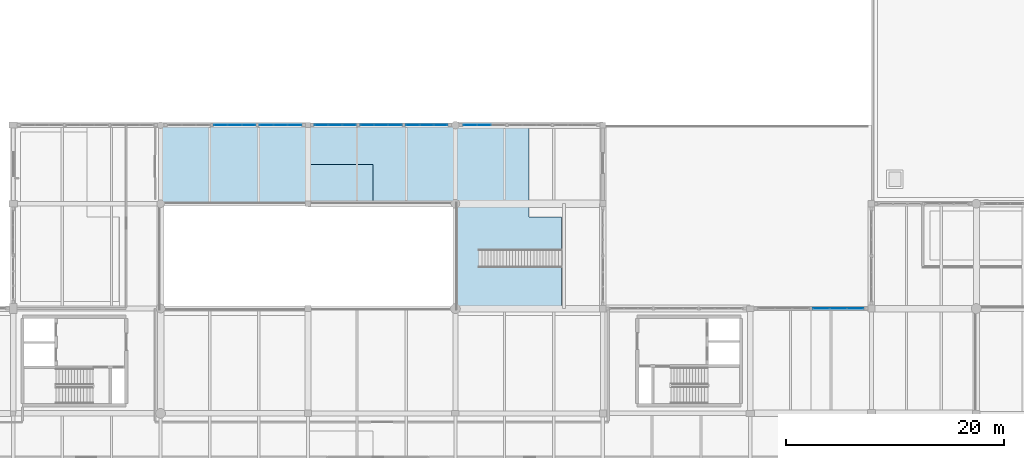
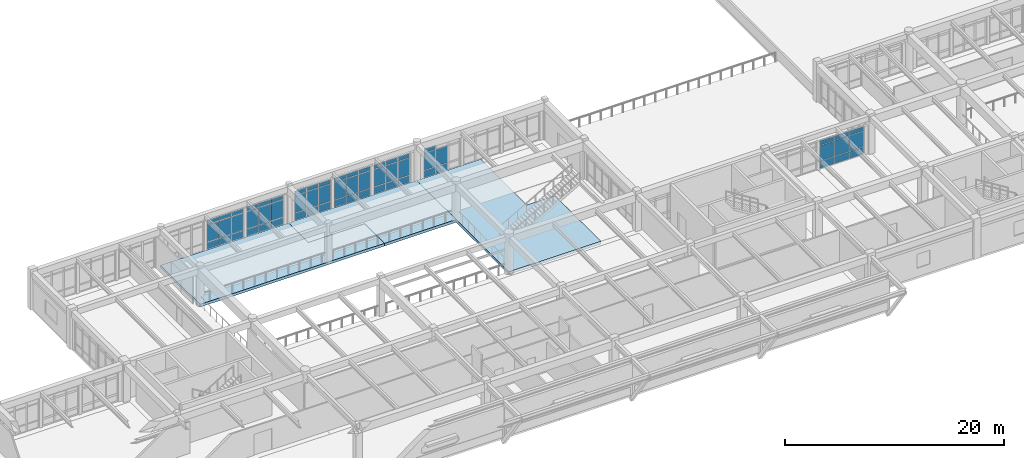
# One storey, part 72 of 109: 59 plates, 3 slabs, 7 elements without a shape of their own.
"""IFC4 building model written with IfcOpenShell, lengths in metres."""

from ifc_helpers import new_model, si_unit, direction, frame, origin, origin_2d, place, context, subcontext, project, spatial, polyline, rectangle, outline, extrude, material, layer, layer_set, type_object, element, aggregate, save


model = new_model("IFC4")

# Units and contexts
model_context = context("Model", 3, precision=1e-05, world=origin(), true_north=direction((0.0, 1.0)))
body_context = subcontext(model_context, "Body", "Model", "MODEL_VIEW")
ifc_project = project(units=[si_unit("LENGTHUNIT", "METRE"), si_unit("AREAUNIT", "SQUARE_METRE"), si_unit("VOLUMEUNIT", "CUBIC_METRE"), si_unit("PLANEANGLEUNIT", "RADIAN"), si_unit("MASSUNIT", "GRAM", prefix="KILO")], contexts=[model_context])

# Site, building, storey
site_placement = place(None, origin())
site = spatial("IfcSite", under=ifc_project, at=site_placement, CompositionType="ELEMENT")
building_placement = place(site_placement, origin())
building = spatial("IfcBuilding", under=site, at=building_placement, Name="Fikremerkos Civic Library", CompositionType="ELEMENT")
storey_placement = place(building_placement, frame((0.0, 0.0, 5.39990234375)))
storey = spatial("IfcBuildingStorey", under=building, at=storey_placement, Name="L01", CompositionType="ELEMENT", Elevation=5.39990234375)

# Curtain wall, plates
ifc_material_1 = material(Name="Anodized aluminium Frame", Category="aluminium")
ifc_layer_1 = layer(ifc_material_1, 0.159912109375, Name="Anodized aluminium Frame")
ifc_layer_set_1 = layer_set([ifc_layer_1], Name="Anodized aluminium Frame")
curtain_wall_type_1 = type_object("IfcCurtainWallType", Name="Unitised curtain wall CW-17 4600x3600", PredefinedType="USERDEFINED", material=ifc_layer_set_1)
curtain_wall_1_placement = place(storey_placement, origin())
curtain_wall_1 = element("IfcCurtainWall", 1, at=curtain_wall_1_placement, inside=storey, type_object=curtain_wall_type_1, Name="Unitised curtain wall CW-17 L01 #89", ObjectType="UNITISED CURTAIN WALL", PredefinedType="USERDEFINED")
ifc_material_2 = material(Name="Solar control double glazing", Category="glass")
ifc_layer_2 = layer(ifc_material_2, 0.028076171875, Name="Solar control double glazing")
ifc_layer_set_2 = layer_set([ifc_layer_2], Name="Solar control double glazing")
plate_type_1 = type_object("IfcPlateType", Name="Curtain glazing panel CWP-01 28", PredefinedType="CURTAIN_PANEL", material=ifc_layer_set_2)
plate_1_placement = place(storey_placement, frame((74.435302734375, 48.0, 0.070068359375), z_axis=(0.0, 0.0, 1.0), x_axis=(1.0, 0.0, 0.0)))
plate_1 = element("IfcPlate", 2, at=plate_1_placement, type_object=plate_type_1, Name="CW-17 panel 1.1", PredefinedType="CURTAIN_PANEL", context=body_context, shape_type="SweptSolid", body=[
    extrude(rectangle(XDim=1.194580078125, YDim=0.028076171875, at=origin_2d()), origin(), (0.0, 0.0, 1.0), 0.7451171875),
])
plate_2_placement = place(storey_placement, frame((74.435302734375, 48.0, 0.88525390625), z_axis=(0.0, 0.0, 1.0), x_axis=(1.0, 0.0, 0.0)))
plate_2 = element("IfcPlate", 3, at=plate_2_placement, type_object=plate_type_1, Name="CW-17 panel 1.2", PredefinedType="CURTAIN_PANEL", context=body_context, shape_type="SweptSolid", body=[
    extrude(rectangle(XDim=1.194580078125, YDim=0.028076171875, at=origin_2d()), origin(), (0.0, 0.0, 1.0), 1.889892578125),
])
plate_3_placement = place(storey_placement, frame((74.435302734375, 48.0, 2.84521484375), z_axis=(0.0, 0.0, 1.0), x_axis=(1.0, 0.0, 0.0)))
plate_3 = element("IfcPlate", 4, at=plate_3_placement, type_object=plate_type_1, Name="CW-17 panel 1.3", PredefinedType="CURTAIN_PANEL", context=body_context, shape_type="SweptSolid", body=[
    extrude(rectangle(XDim=1.194580078125, YDim=0.028076171875, at=origin_2d()), origin(), (0.0, 0.0, 1.0), 0.445068359375),
])
plate_4_placement = place(storey_placement, frame((75.711181640625, 48.0, 0.070068359375), z_axis=(0.0, 0.0, 1.0), x_axis=(1.0, 0.0, 0.0)))
plate_4 = element("IfcPlate", 5, at=plate_4_placement, type_object=plate_type_1, Name="CW-17 panel 2.1", PredefinedType="CURTAIN_PANEL", context=body_context, shape_type="SweptSolid", body=[
    extrude(rectangle(XDim=1.22705078125, YDim=0.028076171875, at=origin_2d()), origin(), (0.0, 0.0, 1.0), 0.7451171875),
])
plate_5_placement = place(storey_placement, frame((75.711181640625, 48.0, 0.88525390625), z_axis=(0.0, 0.0, 1.0), x_axis=(1.0, 0.0, 0.0)))
plate_5 = element("IfcPlate", 6, at=plate_5_placement, type_object=plate_type_1, Name="CW-17 panel 2.2", PredefinedType="CURTAIN_PANEL", context=body_context, shape_type="SweptSolid", body=[
    extrude(rectangle(XDim=1.22705078125, YDim=0.028076171875, at=origin_2d()), origin(), (0.0, 0.0, 1.0), 1.889892578125),
])
plate_6_placement = place(storey_placement, frame((75.711181640625, 48.0, 2.84521484375), z_axis=(0.0, 0.0, 1.0), x_axis=(1.0, 0.0, 0.0)))
plate_6 = element("IfcPlate", 7, at=plate_6_placement, type_object=plate_type_1, Name="CW-17 panel 2.3", PredefinedType="CURTAIN_PANEL", context=body_context, shape_type="SweptSolid", body=[
    extrude(rectangle(XDim=1.22705078125, YDim=0.028076171875, at=origin_2d()), origin(), (0.0, 0.0, 1.0), 0.445068359375),
])
plate_7_placement = place(storey_placement, frame((76.987060546875, 48.0, 0.070068359375), z_axis=(0.0, 0.0, 1.0), x_axis=(1.0, 0.0, 0.0)))
plate_7 = element("IfcPlate", 8, at=plate_7_placement, type_object=plate_type_1, Name="CW-17 panel 3.1", PredefinedType="CURTAIN_PANEL", context=body_context, shape_type="SweptSolid", body=[
    extrude(rectangle(XDim=1.194580078125, YDim=0.028076171875, at=origin_2d()), origin(), (0.0, 0.0, 1.0), 0.7451171875),
])
plate_8_placement = place(storey_placement, frame((76.987060546875, 48.0, 0.88525390625), z_axis=(0.0, 0.0, 1.0), x_axis=(1.0, 0.0, 0.0)))
plate_8 = element("IfcPlate", 9, at=plate_8_placement, type_object=plate_type_1, Name="CW-17 panel 3.2", PredefinedType="CURTAIN_PANEL", context=body_context, shape_type="SweptSolid", body=[
    extrude(rectangle(XDim=1.194580078125, YDim=0.028076171875, at=origin_2d()), origin(), (0.0, 0.0, 1.0), 1.889892578125),
])
plate_9_placement = place(storey_placement, frame((76.987060546875, 48.0, 2.84521484375), z_axis=(0.0, 0.0, 1.0), x_axis=(1.0, 0.0, 0.0)))
plate_9 = element("IfcPlate", 10, at=plate_9_placement, type_object=plate_type_1, Name="CW-17 panel 3.3", PredefinedType="CURTAIN_PANEL", context=body_context, shape_type="SweptSolid", body=[
    extrude(rectangle(XDim=1.194580078125, YDim=0.028076171875, at=origin_2d()), origin(), (0.0, 0.0, 1.0), 0.445068359375),
])
aggregate(curtain_wall_1, [plate_1, plate_2, plate_3, plate_4, plate_5, plate_6, plate_7, plate_8, plate_9])

ifc_layer_3 = layer(ifc_material_1, 0.159912109375, Name="Anodized aluminium Frame")
ifc_layer_set_3 = layer_set([ifc_layer_3], Name="Anodized aluminium Frame")
curtain_wall_type_2 = type_object("IfcCurtainWallType", Name="Unitised curtain wall CW-01 3600x3600", PredefinedType="USERDEFINED", material=ifc_layer_set_3)
curtain_wall_2_placement = place(storey_placement, origin())
curtain_wall_2 = element("IfcCurtainWall", 11, at=curtain_wall_2_placement, inside=storey, type_object=curtain_wall_type_2, Name="Unitised curtain wall CW-01 L01 #91", ObjectType="UNITISED CURTAIN WALL", PredefinedType="USERDEFINED")
plate_10_placement = place(storey_placement, frame((82.7880859375, 48.0, 0.070068359375), z_axis=(0.0, 0.0, 1.0), x_axis=(1.0, 0.0, 0.0)))
plate_10 = element("IfcPlate", 12, at=plate_10_placement, type_object=plate_type_1, Name="CW-01 panel 1.1", PredefinedType="CURTAIN_PANEL", context=body_context, shape_type="SweptSolid", body=[
    extrude(rectangle(XDim=1.194580078125, YDim=0.028076171875, at=origin_2d()), origin(), (0.0, 0.0, 1.0), 0.7451171875),
])
plate_11_placement = place(storey_placement, frame((82.7880859375, 48.0, 0.88525390625), z_axis=(0.0, 0.0, 1.0), x_axis=(1.0, 0.0, 0.0)))
plate_11 = element("IfcPlate", 13, at=plate_11_placement, type_object=plate_type_1, Name="CW-01 panel 1.2", PredefinedType="CURTAIN_PANEL", context=body_context, shape_type="SweptSolid", body=[
    extrude(rectangle(XDim=1.194580078125, YDim=0.028076171875, at=origin_2d()), origin(), (0.0, 0.0, 1.0), 1.889892578125),
])
plate_12_placement = place(storey_placement, frame((82.7880859375, 48.0, 2.84521484375), z_axis=(0.0, 0.0, 1.0), x_axis=(1.0, 0.0, 0.0)))
plate_12 = element("IfcPlate", 14, at=plate_12_placement, type_object=plate_type_1, Name="CW-01 panel 1.3", PredefinedType="CURTAIN_PANEL", context=body_context, shape_type="SweptSolid", body=[
    extrude(rectangle(XDim=1.194580078125, YDim=0.028076171875, at=origin_2d()), origin(), (0.0, 0.0, 1.0), 0.445068359375),
])
plate_13_placement = place(storey_placement, frame((84.063720703125, 48.0, 0.070068359375), z_axis=(0.0, 0.0, 1.0), x_axis=(1.0, 0.0, 0.0)))
plate_13 = element("IfcPlate", 15, at=plate_13_placement, type_object=plate_type_1, Name="CW-01 panel 2.1", PredefinedType="CURTAIN_PANEL", context=body_context, shape_type="SweptSolid", body=[
    extrude(rectangle(XDim=1.22705078125, YDim=0.028076171875, at=origin_2d()), origin(), (0.0, 0.0, 1.0), 0.7451171875),
])
plate_14_placement = place(storey_placement, frame((84.063720703125, 48.0, 0.88525390625), z_axis=(0.0, 0.0, 1.0), x_axis=(1.0, 0.0, 0.0)))
plate_14 = element("IfcPlate", 16, at=plate_14_placement, type_object=plate_type_1, Name="CW-01 panel 2.2", PredefinedType="CURTAIN_PANEL", context=body_context, shape_type="SweptSolid", body=[
    extrude(rectangle(XDim=1.22705078125, YDim=0.028076171875, at=origin_2d()), origin(), (0.0, 0.0, 1.0), 1.889892578125),
])
plate_15_placement = place(storey_placement, frame((84.063720703125, 48.0, 2.84521484375), z_axis=(0.0, 0.0, 1.0), x_axis=(1.0, 0.0, 0.0)))
plate_15 = element("IfcPlate", 17, at=plate_15_placement, type_object=plate_type_1, Name="CW-01 panel 2.3", PredefinedType="CURTAIN_PANEL", context=body_context, shape_type="SweptSolid", body=[
    extrude(rectangle(XDim=1.22705078125, YDim=0.028076171875, at=origin_2d()), origin(), (0.0, 0.0, 1.0), 0.445068359375),
])
plate_16_placement = place(storey_placement, frame((85.339599609375, 48.0, 0.070068359375), z_axis=(0.0, 0.0, 1.0), x_axis=(1.0, 0.0, 0.0)))
plate_16 = element("IfcPlate", 18, at=plate_16_placement, type_object=plate_type_1, Name="CW-01 panel 3.1", PredefinedType="CURTAIN_PANEL", context=body_context, shape_type="SweptSolid", body=[
    extrude(rectangle(XDim=1.194580078125, YDim=0.028076171875, at=origin_2d()), origin(), (0.0, 0.0, 1.0), 0.7451171875),
])
plate_17_placement = place(storey_placement, frame((85.339599609375, 48.0, 0.88525390625), z_axis=(0.0, 0.0, 1.0), x_axis=(1.0, 0.0, 0.0)))
plate_17 = element("IfcPlate", 19, at=plate_17_placement, type_object=plate_type_1, Name="CW-01 panel 3.2", PredefinedType="CURTAIN_PANEL", context=body_context, shape_type="SweptSolid", body=[
    extrude(rectangle(XDim=1.194580078125, YDim=0.028076171875, at=origin_2d()), origin(), (0.0, 0.0, 1.0), 1.889892578125),
])
plate_18_placement = place(storey_placement, frame((85.339599609375, 48.0, 2.84521484375), z_axis=(0.0, 0.0, 1.0), x_axis=(1.0, 0.0, 0.0)))
plate_18 = element("IfcPlate", 20, at=plate_18_placement, type_object=plate_type_1, Name="CW-01 panel 3.3", PredefinedType="CURTAIN_PANEL", context=body_context, shape_type="SweptSolid", body=[
    extrude(rectangle(XDim=1.194580078125, YDim=0.028076171875, at=origin_2d()), origin(), (0.0, 0.0, 1.0), 0.445068359375),
])
aggregate(curtain_wall_2, [plate_10, plate_11, plate_12, plate_13, plate_14, plate_15, plate_16, plate_17, plate_18])

ifc_layer_4 = layer(ifc_material_1, 0.159912109375, Name="Anodized aluminium Frame")
ifc_layer_set_4 = layer_set([ifc_layer_4], Name="Anodized aluminium Frame")
curtain_wall_type_3 = type_object("IfcCurtainWallType", Name="Unitised curtain wall CW-18 2700x3400", PredefinedType="USERDEFINED", material=ifc_layer_set_4)
curtain_wall_3_placement = place(storey_placement, origin())
curtain_wall_3 = element("IfcCurtainWall", 21, at=curtain_wall_3_placement, inside=storey, type_object=curtain_wall_type_3, Name="Unitised curtain wall CW-18 L01 #90", ObjectType="UNITISED CURTAIN WALL", PredefinedType="USERDEFINED")
ifc_layer_5 = layer(ifc_material_2, 0.035888671875, Name="Solar control double glazing")
ifc_layer_set_5 = layer_set([ifc_layer_5], Name="Solar control double glazing")
plate_type_2 = type_object("IfcPlateType", Name="Curtain glazing panel CWP-02 36", PredefinedType="CURTAIN_PANEL", material=ifc_layer_set_5)
plate_19_placement = place(storey_placement, frame((78.6103515625, 48.0, 0.070068359375), z_axis=(0.0, 0.0, 1.0), x_axis=(1.0, 0.0, 0.0)))
plate_19 = element("IfcPlate", 22, at=plate_19_placement, type_object=plate_type_2, Name="CW-18 panel 1.1", PredefinedType="CURTAIN_PANEL", context=body_context, shape_type="SweptSolid", body=[
    extrude(rectangle(XDim=1.2021484375, YDim=0.035888671875, at=origin_2d()), origin(), (0.0, 0.0, 1.0), 0.7451171875),
])
plate_20_placement = place(storey_placement, frame((78.6103515625, 48.0, 0.88525390625), z_axis=(0.0, 0.0, 1.0), x_axis=(1.0, 0.0, 0.0)))
plate_20 = element("IfcPlate", 23, at=plate_20_placement, type_object=plate_type_2, Name="CW-18 panel 1.2", PredefinedType="CURTAIN_PANEL", context=body_context, shape_type="SweptSolid", body=[
    extrude(rectangle(XDim=1.2021484375, YDim=0.035888671875, at=origin_2d()), origin(), (0.0, 0.0, 1.0), 1.889892578125),
])
plate_21_placement = place(storey_placement, frame((78.6103515625, 48.0, 2.84521484375), z_axis=(0.0, 0.0, 1.0), x_axis=(1.0, 0.0, 0.0)))
plate_21 = element("IfcPlate", 24, at=plate_21_placement, type_object=plate_type_2, Name="CW-18 panel 1.3", PredefinedType="CURTAIN_PANEL", context=body_context, shape_type="SweptSolid", body=[
    extrude(rectangle(XDim=1.2021484375, YDim=0.035888671875, at=origin_2d()), origin(), (0.0, 0.0, 1.0), 0.445068359375),
])
plate_22_placement = place(storey_placement, frame((79.887451171875, 48.0, 0.070068359375), z_axis=(0.0, 0.0, 1.0), x_axis=(1.0, 0.0, 0.0)))
plate_22 = element("IfcPlate", 25, at=plate_22_placement, type_object=plate_type_2, Name="CW-18 panel 2.1", PredefinedType="CURTAIN_PANEL", context=body_context, shape_type="SweptSolid", body=[
    extrude(rectangle(XDim=1.232177734375, YDim=0.035888671875, at=origin_2d()), origin(), (0.0, 0.0, 1.0), 0.7451171875),
])
plate_23_placement = place(storey_placement, frame((79.887451171875, 48.0, 0.88525390625), z_axis=(0.0, 0.0, 1.0), x_axis=(1.0, 0.0, 0.0)))
plate_23 = element("IfcPlate", 26, at=plate_23_placement, type_object=plate_type_2, Name="CW-18 panel 2.2", PredefinedType="CURTAIN_PANEL", context=body_context, shape_type="SweptSolid", body=[
    extrude(rectangle(XDim=1.232177734375, YDim=0.035888671875, at=origin_2d()), origin(), (0.0, 0.0, 1.0), 1.889892578125),
])
plate_24_placement = place(storey_placement, frame((79.887451171875, 48.0, 2.84521484375), z_axis=(0.0, 0.0, 1.0), x_axis=(1.0, 0.0, 0.0)))
plate_24 = element("IfcPlate", 27, at=plate_24_placement, type_object=plate_type_2, Name="CW-18 panel 2.3", PredefinedType="CURTAIN_PANEL", context=body_context, shape_type="SweptSolid", body=[
    extrude(rectangle(XDim=1.232177734375, YDim=0.035888671875, at=origin_2d()), origin(), (0.0, 0.0, 1.0), 0.445068359375),
])
plate_25_placement = place(storey_placement, frame((81.16455078125, 48.0, 0.070068359375), z_axis=(0.0, 0.0, 1.0), x_axis=(1.0, 0.0, 0.0)))
plate_25 = element("IfcPlate", 28, at=plate_25_placement, type_object=plate_type_2, Name="CW-18 panel 3.1", PredefinedType="CURTAIN_PANEL", context=body_context, shape_type="SweptSolid", body=[
    extrude(rectangle(XDim=1.2021484375, YDim=0.035888671875, at=origin_2d()), origin(), (0.0, 0.0, 1.0), 0.7451171875),
])
plate_26_placement = place(storey_placement, frame((81.16455078125, 48.0, 0.88525390625), z_axis=(0.0, 0.0, 1.0), x_axis=(1.0, 0.0, 0.0)))
plate_26 = element("IfcPlate", 29, at=plate_26_placement, type_object=plate_type_2, Name="CW-18 panel 3.2", PredefinedType="CURTAIN_PANEL", context=body_context, shape_type="SweptSolid", body=[
    extrude(rectangle(XDim=1.2021484375, YDim=0.035888671875, at=origin_2d()), origin(), (0.0, 0.0, 1.0), 1.889892578125),
])
plate_27_placement = place(storey_placement, frame((81.16455078125, 48.0, 2.84521484375), z_axis=(0.0, 0.0, 1.0), x_axis=(1.0, 0.0, 0.0)))
plate_27 = element("IfcPlate", 30, at=plate_27_placement, type_object=plate_type_2, Name="CW-18 panel 3.3", PredefinedType="CURTAIN_PANEL", context=body_context, shape_type="SweptSolid", body=[
    extrude(rectangle(XDim=1.2021484375, YDim=0.035888671875, at=origin_2d()), origin(), (0.0, 0.0, 1.0), 0.445068359375),
])
aggregate(curtain_wall_3, [plate_19, plate_20, plate_21, plate_22, plate_23, plate_24, plate_25, plate_26, plate_27])

ifc_layer_6 = layer(ifc_material_1, 0.159912109375, Name="Anodized aluminium Frame")
ifc_layer_set_6 = layer_set([ifc_layer_6], Name="Anodized aluminium Frame")
curtain_wall_type_4 = type_object("IfcCurtainWallType", Name="Unitised curtain wall CW-02 3900x3600", PredefinedType="USERDEFINED", material=ifc_layer_set_6)
curtain_wall_4_placement = place(storey_placement, origin())
curtain_wall_4 = element("IfcCurtainWall", 31, at=curtain_wall_4_placement, inside=storey, type_object=curtain_wall_type_4, Name="Unitised curtain wall CW-02 L01 #92", ObjectType="UNITISED CURTAIN WALL", PredefinedType="USERDEFINED")
plate_28_placement = place(storey_placement, frame((88.0576171875, 48.0, 0.070068359375), z_axis=(0.0, 0.0, 1.0), x_axis=(1.0, 0.0, 0.0)))
plate_28 = element("IfcPlate", 32, at=plate_28_placement, type_object=plate_type_2, Name="CW-02 panel 1.1", PredefinedType="CURTAIN_PANEL", context=body_context, shape_type="SweptSolid", body=[
    extrude(rectangle(XDim=1.19921875, YDim=0.035888671875, at=origin_2d()), origin(), (0.0, 0.0, 1.0), 0.7451171875),
])
plate_29_placement = place(storey_placement, frame((88.0576171875, 48.0, 0.88525390625), z_axis=(0.0, 0.0, 1.0), x_axis=(1.0, 0.0, 0.0)))
plate_29 = element("IfcPlate", 33, at=plate_29_placement, type_object=plate_type_2, Name="CW-02 panel 1.2", PredefinedType="CURTAIN_PANEL", context=body_context, shape_type="SweptSolid", body=[
    extrude(rectangle(XDim=1.19921875, YDim=0.035888671875, at=origin_2d()), origin(), (0.0, 0.0, 1.0), 1.840087890625),
])
plate_30_placement = place(storey_placement, frame((88.0576171875, 48.0, 2.794921875), z_axis=(0.0, 0.0, 1.0), x_axis=(1.0, 0.0, 0.0)))
plate_30 = element("IfcPlate", 34, at=plate_30_placement, type_object=plate_type_2, Name="CW-02 panel 1.3", PredefinedType="CURTAIN_PANEL", context=body_context, shape_type="SweptSolid", body=[
    extrude(rectangle(XDim=1.19921875, YDim=0.035888671875, at=origin_2d()), origin(), (0.0, 0.0, 1.0), 0.445068359375),
])
plate_31_placement = place(storey_placement, frame((89.33203125, 48.0, 0.070068359375), z_axis=(0.0, 0.0, 1.0), x_axis=(1.0, 0.0, 0.0)))
plate_31 = element("IfcPlate", 35, at=plate_31_placement, type_object=plate_type_2, Name="CW-02 panel 2.1", PredefinedType="CURTAIN_PANEL", context=body_context, shape_type="SweptSolid", body=[
    extrude(rectangle(XDim=1.229248046875, YDim=0.035888671875, at=origin_2d()), origin(), (0.0, 0.0, 1.0), 0.7451171875),
])
plate_32_placement = place(storey_placement, frame((89.33203125, 48.0, 0.88525390625), z_axis=(0.0, 0.0, 1.0), x_axis=(1.0, 0.0, 0.0)))
plate_32 = element("IfcPlate", 36, at=plate_32_placement, type_object=plate_type_2, Name="CW-02 panel 2.2", PredefinedType="CURTAIN_PANEL", context=body_context, shape_type="SweptSolid", body=[
    extrude(rectangle(XDim=1.229248046875, YDim=0.035888671875, at=origin_2d()), origin(), (0.0, 0.0, 1.0), 1.840087890625),
])
aggregate(curtain_wall_4, [plate_28, plate_29, plate_30, plate_31, plate_32])

ifc_layer_7 = layer(ifc_material_1, 0.159912109375, Name="Anodized aluminium Frame")
ifc_layer_set_7 = layer_set([ifc_layer_7], Name="Anodized aluminium Frame")
curtain_wall_type_5 = type_object("IfcCurtainWallType", Name="Unitised curtain wall CW-15 2900x3600", PredefinedType="USERDEFINED", material=ifc_layer_set_7)
curtain_wall_5_placement = place(storey_placement, origin())
curtain_wall_5 = element("IfcCurtainWall", 37, at=curtain_wall_5_placement, inside=storey, type_object=curtain_wall_type_5, Name="Unitised curtain wall CW-15 L01 #87", ObjectType="UNITISED CURTAIN WALL", PredefinedType="USERDEFINED")
ifc_material_3 = material(Name="Insulated aluminium spandrel", Category="aluminium")
ifc_layer_8 = layer(ifc_material_3, 0.044921875, Name="Insulated aluminium spandrel")
ifc_layer_set_8 = layer_set([ifc_layer_8], Name="Insulated aluminium spandrel")
plate_type_3 = type_object("IfcPlateType", Name="Curtain spandrel panel CSP-01 45", PredefinedType="CURTAIN_PANEL", material=ifc_layer_set_8)
plate_33_placement = place(storey_placement, frame((65.204833984375, 48.0, 0.070068359375), z_axis=(0.0, 0.0, 1.0), x_axis=(1.0, 0.0, 0.0)))
plate_33 = element("IfcPlate", 38, at=plate_33_placement, type_object=plate_type_3, Name="CW-15 panel 1.1", PredefinedType="CURTAIN_PANEL", context=body_context, shape_type="SweptSolid", body=[
    extrude(rectangle(XDim=1.207763671875, YDim=0.044921875, at=origin_2d()), origin(), (0.0, 0.0, 1.0), 0.7451171875),
])
plate_34_placement = place(storey_placement, frame((65.204833984375, 48.0, 0.88525390625), z_axis=(0.0, 0.0, 1.0), x_axis=(1.0, 0.0, 0.0)))
plate_34 = element("IfcPlate", 39, at=plate_34_placement, type_object=plate_type_3, Name="CW-15 panel 1.2", PredefinedType="CURTAIN_PANEL", context=body_context, shape_type="SweptSolid", body=[
    extrude(rectangle(XDim=1.207763671875, YDim=0.044921875, at=origin_2d()), origin(), (0.0, 0.0, 1.0), 1.889892578125),
])
plate_35_placement = place(storey_placement, frame((65.204833984375, 48.0, 2.84521484375), z_axis=(0.0, 0.0, 1.0), x_axis=(1.0, 0.0, 0.0)))
plate_35 = element("IfcPlate", 40, at=plate_35_placement, type_object=plate_type_3, Name="CW-15 panel 1.3", PredefinedType="CURTAIN_PANEL", context=body_context, shape_type="SweptSolid", body=[
    extrude(rectangle(XDim=1.207763671875, YDim=0.044921875, at=origin_2d()), origin(), (0.0, 0.0, 1.0), 0.445068359375),
])
plate_36_placement = place(storey_placement, frame((66.487548828125, 48.0, 0.070068359375), z_axis=(0.0, 0.0, 1.0), x_axis=(1.0, 0.0, 0.0)))
plate_36 = element("IfcPlate", 41, at=plate_36_placement, type_object=plate_type_3, Name="CW-15 panel 2.1", PredefinedType="CURTAIN_PANEL", context=body_context, shape_type="SweptSolid", body=[
    extrude(rectangle(XDim=1.237548828125, YDim=0.044921875, at=origin_2d()), origin(), (0.0, 0.0, 1.0), 0.7451171875),
])
plate_37_placement = place(storey_placement, frame((66.487548828125, 48.0, 0.88525390625), z_axis=(0.0, 0.0, 1.0), x_axis=(1.0, 0.0, 0.0)))
plate_37 = element("IfcPlate", 42, at=plate_37_placement, type_object=plate_type_3, Name="CW-15 panel 2.2", PredefinedType="CURTAIN_PANEL", context=body_context, shape_type="SweptSolid", body=[
    extrude(rectangle(XDim=1.237548828125, YDim=0.044921875, at=origin_2d()), origin(), (0.0, 0.0, 1.0), 1.889892578125),
])
plate_38_placement = place(storey_placement, frame((66.487548828125, 48.0, 2.84521484375), z_axis=(0.0, 0.0, 1.0), x_axis=(1.0, 0.0, 0.0)))
plate_38 = element("IfcPlate", 43, at=plate_38_placement, type_object=plate_type_3, Name="CW-15 panel 2.3", PredefinedType="CURTAIN_PANEL", context=body_context, shape_type="SweptSolid", body=[
    extrude(rectangle(XDim=1.237548828125, YDim=0.044921875, at=origin_2d()), origin(), (0.0, 0.0, 1.0), 0.445068359375),
])
plate_39_placement = place(storey_placement, frame((67.770263671875, 48.0, 0.070068359375), z_axis=(0.0, 0.0, 1.0), x_axis=(1.0, 0.0, 0.0)))
plate_39 = element("IfcPlate", 44, at=plate_39_placement, type_object=plate_type_3, Name="CW-15 panel 3.1", PredefinedType="CURTAIN_PANEL", context=body_context, shape_type="SweptSolid", body=[
    extrude(rectangle(XDim=1.207763671875, YDim=0.044921875, at=origin_2d()), origin(), (0.0, 0.0, 1.0), 0.7451171875),
])
plate_40_placement = place(storey_placement, frame((67.770263671875, 48.0, 0.88525390625), z_axis=(0.0, 0.0, 1.0), x_axis=(1.0, 0.0, 0.0)))
plate_40 = element("IfcPlate", 45, at=plate_40_placement, type_object=plate_type_3, Name="CW-15 panel 3.2", PredefinedType="CURTAIN_PANEL", context=body_context, shape_type="SweptSolid", body=[
    extrude(rectangle(XDim=1.207763671875, YDim=0.044921875, at=origin_2d()), origin(), (0.0, 0.0, 1.0), 1.889892578125),
])
plate_41_placement = place(storey_placement, frame((67.770263671875, 48.0, 2.84521484375), z_axis=(0.0, 0.0, 1.0), x_axis=(1.0, 0.0, 0.0)))
plate_41 = element("IfcPlate", 46, at=plate_41_placement, type_object=plate_type_3, Name="CW-15 panel 3.3", PredefinedType="CURTAIN_PANEL", context=body_context, shape_type="SweptSolid", body=[
    extrude(rectangle(XDim=1.207763671875, YDim=0.044921875, at=origin_2d()), origin(), (0.0, 0.0, 1.0), 0.445068359375),
])
aggregate(curtain_wall_5, [plate_33, plate_34, plate_35, plate_36, plate_37, plate_38, plate_39, plate_40, plate_41])

ifc_layer_9 = layer(ifc_material_1, 0.159912109375, Name="Anodized aluminium Frame")
ifc_layer_set_9 = layer_set([ifc_layer_9], Name="Anodized aluminium Frame")
curtain_wall_type_6 = type_object("IfcCurtainWallType", Name="Unitised curtain wall CW-11 3200x3400", PredefinedType="USERDEFINED", material=ifc_layer_set_9)
curtain_wall_6_placement = place(storey_placement, origin())
curtain_wall_6 = element("IfcCurtainWall", 47, at=curtain_wall_6_placement, inside=storey, type_object=curtain_wall_type_6, Name="Unitised curtain wall CW-11 L01 #101", ObjectType="UNITISED CURTAIN WALL", PredefinedType="USERDEFINED")
plate_42_placement = place(storey_placement, frame((120.213134765625, 31.199951171875, 0.065185546875), z_axis=(0.0, 0.0, 1.0), x_axis=(1.0, 0.0, 0.0)))
plate_42 = element("IfcPlate", 48, at=plate_42_placement, type_object=plate_type_3, Name="CW-11 panel 1.1", PredefinedType="CURTAIN_PANEL", context=body_context, shape_type="SweptSolid", body=[
    extrude(rectangle(XDim=1.4814453125, YDim=0.044921875, at=origin_2d()), origin(), (0.0, 0.0, 1.0), 0.75244140625),
])
plate_43_placement = place(storey_placement, frame((120.213134765625, 31.199951171875, 0.882568359375), z_axis=(0.0, 0.0, 1.0), x_axis=(1.0, 0.0, 0.0)))
plate_43 = element("IfcPlate", 49, at=plate_43_placement, type_object=plate_type_3, Name="CW-11 panel 1.2", PredefinedType="CURTAIN_PANEL", context=body_context, shape_type="SweptSolid", body=[
    extrude(rectangle(XDim=1.4814453125, YDim=0.044921875, at=origin_2d()), origin(), (0.0, 0.0, 1.0), 1.705078125),
])
plate_44_placement = place(storey_placement, frame((120.213134765625, 31.199951171875, 2.65283203125), z_axis=(0.0, 0.0, 1.0), x_axis=(1.0, 0.0, 0.0)))
plate_44 = element("IfcPlate", 50, at=plate_44_placement, type_object=plate_type_3, Name="CW-11 panel 1.3", PredefinedType="CURTAIN_PANEL", context=body_context, shape_type="SweptSolid", body=[
    extrude(rectangle(XDim=1.4814453125, YDim=0.044921875, at=origin_2d()), origin(), (0.0, 0.0, 1.0), 0.452392578125),
])
plate_45_placement = place(storey_placement, frame((121.769775390625, 31.199951171875, 0.065185546875), z_axis=(0.0, 0.0, 1.0), x_axis=(1.0, 0.0, 0.0)))
plate_45 = element("IfcPlate", 51, at=plate_45_placement, type_object=plate_type_3, Name="CW-11 panel 2.1", PredefinedType="CURTAIN_PANEL", context=body_context, shape_type="SweptSolid", body=[
    extrude(rectangle(XDim=1.511474609375, YDim=0.044921875, at=origin_2d()), origin(), (0.0, 0.0, 1.0), 0.75244140625),
])
plate_46_placement = place(storey_placement, frame((121.769775390625, 31.199951171875, 0.882568359375), z_axis=(0.0, 0.0, 1.0), x_axis=(1.0, 0.0, 0.0)))
plate_46 = element("IfcPlate", 52, at=plate_46_placement, type_object=plate_type_3, Name="CW-11 panel 2.2", PredefinedType="CURTAIN_PANEL", context=body_context, shape_type="SweptSolid", body=[
    extrude(rectangle(XDim=1.511474609375, YDim=0.044921875, at=origin_2d()), origin(), (0.0, 0.0, 1.0), 1.705078125),
])
plate_47_placement = place(storey_placement, frame((121.769775390625, 31.199951171875, 2.65283203125), z_axis=(0.0, 0.0, 1.0), x_axis=(1.0, 0.0, 0.0)))
plate_47 = element("IfcPlate", 53, at=plate_47_placement, type_object=plate_type_3, Name="CW-11 panel 2.3", PredefinedType="CURTAIN_PANEL", context=body_context, shape_type="SweptSolid", body=[
    extrude(rectangle(XDim=1.511474609375, YDim=0.044921875, at=origin_2d()), origin(), (0.0, 0.0, 1.0), 0.452392578125),
])
plate_48_placement = place(storey_placement, frame((123.326171875, 31.199951171875, 0.065185546875), z_axis=(0.0, 0.0, 1.0), x_axis=(1.0, 0.0, 0.0)))
plate_48 = element("IfcPlate", 54, at=plate_48_placement, type_object=plate_type_3, Name="CW-11 panel 3.1", PredefinedType="CURTAIN_PANEL", context=body_context, shape_type="SweptSolid", body=[
    extrude(rectangle(XDim=1.4814453125, YDim=0.044921875, at=origin_2d()), origin(), (0.0, 0.0, 1.0), 0.75244140625),
])
plate_49_placement = place(storey_placement, frame((123.326171875, 31.199951171875, 0.882568359375), z_axis=(0.0, 0.0, 1.0), x_axis=(1.0, 0.0, 0.0)))
plate_49 = element("IfcPlate", 55, at=plate_49_placement, type_object=plate_type_3, Name="CW-11 panel 3.2", PredefinedType="CURTAIN_PANEL", context=body_context, shape_type="SweptSolid", body=[
    extrude(rectangle(XDim=1.4814453125, YDim=0.044921875, at=origin_2d()), origin(), (0.0, 0.0, 1.0), 1.705078125),
])
plate_50_placement = place(storey_placement, frame((123.326171875, 31.199951171875, 2.65283203125), z_axis=(0.0, 0.0, 1.0), x_axis=(1.0, 0.0, 0.0)))
plate_50 = element("IfcPlate", 56, at=plate_50_placement, type_object=plate_type_3, Name="CW-11 panel 3.3", PredefinedType="CURTAIN_PANEL", context=body_context, shape_type="SweptSolid", body=[
    extrude(rectangle(XDim=1.4814453125, YDim=0.044921875, at=origin_2d()), origin(), (0.0, 0.0, 1.0), 0.452392578125),
])
aggregate(curtain_wall_6, [plate_42, plate_43, plate_44, plate_45, plate_46, plate_47, plate_48, plate_49, plate_50])

ifc_layer_10 = layer(ifc_material_1, 0.159912109375, Name="Anodized aluminium Frame")
ifc_layer_set_10 = layer_set([ifc_layer_10], Name="Anodized aluminium Frame")
curtain_wall_type_7 = type_object("IfcCurtainWallType", Name="Unitised curtain wall CW-16 3100x4100", PredefinedType="USERDEFINED", material=ifc_layer_set_10)
curtain_wall_7_placement = place(storey_placement, origin())
curtain_wall_7 = element("IfcCurtainWall", 57, at=curtain_wall_7_placement, inside=storey, type_object=curtain_wall_type_7, Name="Unitised curtain wall CW-16 L01 #88", ObjectType="UNITISED CURTAIN WALL", PredefinedType="USERDEFINED")
ifc_layer_11 = layer(ifc_material_3, 0.054931640625, Name="Insulated aluminium spandrel")
ifc_layer_set_11 = layer_set([ifc_layer_11], Name="Insulated aluminium spandrel")
plate_type_4 = type_object("IfcPlateType", Name="Curtain spandrel panel CSP-02 55", PredefinedType="CURTAIN_PANEL", material=ifc_layer_set_11)
plate_51_placement = place(storey_placement, frame((69.39794921875, 48.0, 0.070068359375), z_axis=(0.0, 0.0, 1.0), x_axis=(1.0, 0.0, 0.0)))
plate_51 = element("IfcPlate", 58, at=plate_51_placement, type_object=plate_type_4, Name="CW-16 panel 1.1", PredefinedType="CURTAIN_PANEL", context=body_context, shape_type="SweptSolid", body=[
    extrude(rectangle(XDim=1.207763671875, YDim=0.054931640625, at=origin_2d()), origin(), (0.0, 0.0, 1.0), 0.7451171875),
])
plate_52_placement = place(storey_placement, frame((69.39794921875, 48.0, 0.88525390625), z_axis=(0.0, 0.0, 1.0), x_axis=(1.0, 0.0, 0.0)))
plate_52 = element("IfcPlate", 59, at=plate_52_placement, type_object=plate_type_4, Name="CW-16 panel 1.2", PredefinedType="CURTAIN_PANEL", context=body_context, shape_type="SweptSolid", body=[
    extrude(rectangle(XDim=1.207763671875, YDim=0.054931640625, at=origin_2d()), origin(), (0.0, 0.0, 1.0), 1.889892578125),
])
plate_53_placement = place(storey_placement, frame((69.39794921875, 48.0, 2.84521484375), z_axis=(0.0, 0.0, 1.0), x_axis=(1.0, 0.0, 0.0)))
plate_53 = element("IfcPlate", 60, at=plate_53_placement, type_object=plate_type_4, Name="CW-16 panel 1.3", PredefinedType="CURTAIN_PANEL", context=body_context, shape_type="SweptSolid", body=[
    extrude(rectangle(XDim=1.207763671875, YDim=0.054931640625, at=origin_2d()), origin(), (0.0, 0.0, 1.0), 0.445068359375),
])
plate_54_placement = place(storey_placement, frame((70.680419921875, 48.0, 0.070068359375), z_axis=(0.0, 0.0, 1.0), x_axis=(1.0, 0.0, 0.0)))
plate_54 = element("IfcPlate", 61, at=plate_54_placement, type_object=plate_type_4, Name="CW-16 panel 2.1", PredefinedType="CURTAIN_PANEL", context=body_context, shape_type="SweptSolid", body=[
    extrude(rectangle(XDim=1.237548828125, YDim=0.054931640625, at=origin_2d()), origin(), (0.0, 0.0, 1.0), 0.7451171875),
])
plate_55_placement = place(storey_placement, frame((70.680419921875, 48.0, 0.88525390625), z_axis=(0.0, 0.0, 1.0), x_axis=(1.0, 0.0, 0.0)))
plate_55 = element("IfcPlate", 62, at=plate_55_placement, type_object=plate_type_4, Name="CW-16 panel 2.2", PredefinedType="CURTAIN_PANEL", context=body_context, shape_type="SweptSolid", body=[
    extrude(rectangle(XDim=1.237548828125, YDim=0.054931640625, at=origin_2d()), origin(), (0.0, 0.0, 1.0), 1.889892578125),
])
plate_56_placement = place(storey_placement, frame((70.680419921875, 48.0, 2.84521484375), z_axis=(0.0, 0.0, 1.0), x_axis=(1.0, 0.0, 0.0)))
plate_56 = element("IfcPlate", 63, at=plate_56_placement, type_object=plate_type_4, Name="CW-16 panel 2.3", PredefinedType="CURTAIN_PANEL", context=body_context, shape_type="SweptSolid", body=[
    extrude(rectangle(XDim=1.237548828125, YDim=0.054931640625, at=origin_2d()), origin(), (0.0, 0.0, 1.0), 0.445068359375),
])
plate_57_placement = place(storey_placement, frame((71.963134765625, 48.0, 0.070068359375), z_axis=(0.0, 0.0, 1.0), x_axis=(1.0, 0.0, 0.0)))
plate_57 = element("IfcPlate", 64, at=plate_57_placement, type_object=plate_type_4, Name="CW-16 panel 3.1", PredefinedType="CURTAIN_PANEL", context=body_context, shape_type="SweptSolid", body=[
    extrude(rectangle(XDim=1.207763671875, YDim=0.054931640625, at=origin_2d()), origin(), (0.0, 0.0, 1.0), 0.7451171875),
])
plate_58_placement = place(storey_placement, frame((71.963134765625, 48.0, 0.88525390625), z_axis=(0.0, 0.0, 1.0), x_axis=(1.0, 0.0, 0.0)))
plate_58 = element("IfcPlate", 65, at=plate_58_placement, type_object=plate_type_4, Name="CW-16 panel 3.2", PredefinedType="CURTAIN_PANEL", context=body_context, shape_type="SweptSolid", body=[
    extrude(rectangle(XDim=1.207763671875, YDim=0.054931640625, at=origin_2d()), origin(), (0.0, 0.0, 1.0), 1.889892578125),
])
plate_59_placement = place(storey_placement, frame((71.963134765625, 48.0, 2.84521484375), z_axis=(0.0, 0.0, 1.0), x_axis=(1.0, 0.0, 0.0)))
plate_59 = element("IfcPlate", 66, at=plate_59_placement, type_object=plate_type_4, Name="CW-16 panel 3.3", PredefinedType="CURTAIN_PANEL", context=body_context, shape_type="SweptSolid", body=[
    extrude(rectangle(XDim=1.207763671875, YDim=0.054931640625, at=origin_2d()), origin(), (0.0, 0.0, 1.0), 0.445068359375),
])
aggregate(curtain_wall_7, [plate_51, plate_52, plate_53, plate_54, plate_55, plate_56, plate_57, plate_58, plate_59])

# Slabs
ifc_material_4 = material(Name="Concrete C40/50", Category="concrete")
ifc_layer_12 = layer(ifc_material_4, 0.300048828125, Name="Concrete C40/50")
ifc_layer_set_12 = layer_set([ifc_layer_12], Name="Concrete C40/50")
slab_type = type_object("IfcSlabType", Name="Suspended floor slab SFS-03 300", PredefinedType="FLOOR", material=ifc_layer_set_12)
slab_1_placement = place(storey_placement, frame((0.0, 0.0, -0.2998046875)))
element("IfcSlab", 67, at=slab_1_placement, inside=storey, type_object=slab_type, Name="Floor slab SFS-03 SLB-L01-V4-A-2L1", PredefinedType="FLOOR", context=body_context, shape_type="SweptSolid", body=[
    extrude(outline(polyline([(59.699951171875, 40.800048828125), (79.135986328125, 40.800048828125), (79.135986328125, 44.39599609375), (73.196044921875, 44.39599609375), (73.196044921875, 48.0), (59.699951171875, 48.0), (59.699951171875, 40.800048828125)])), origin(), (0.0, 0.0, 1.0), 0.2998046875),
])
slab_2_placement = place(storey_placement, frame((0.0, 0.0, -0.2998046875)))
element("IfcSlab", 68, at=slab_2_placement, inside=storey, type_object=slab_type, Name="Floor slab SFS-03 SLB-L01-V4-A-2L2", PredefinedType="FLOOR", context=body_context, shape_type="SweptSolid", body=[
    extrude(outline(polyline([(79.14404296875, 40.800048828125), (86.699951171875, 40.800048828125), (86.699951171875, 48.0), (73.2041015625, 48.0), (73.2041015625, 44.404052734375), (79.14404296875, 44.404052734375), (79.14404296875, 40.800048828125)])), origin(), (0.0, 0.0, 1.0), 0.2998046875),
])
slab_3_placement = place(storey_placement, frame((0.0, 0.0, -0.2998046875)))
element("IfcSlab", 69, at=slab_3_placement, inside=storey, type_object=slab_type, Name="Floor slab SFS-03 SLB-L01-V4-A-3L1", PredefinedType="FLOOR", context=body_context, shape_type="SweptSolid", body=[
    extrude(outline(polyline([(86.699951171875, 31.199951171875), (96.416015625, 31.199951171875), (96.416015625, 39.595947265625), (93.446044921875, 39.595947265625), (93.446044921875, 48.0), (86.699951171875, 48.0), (86.699951171875, 31.199951171875)])), origin(), (0.0, 0.0, 1.0), 0.2998046875),
])

save(model, "model.ifc")
